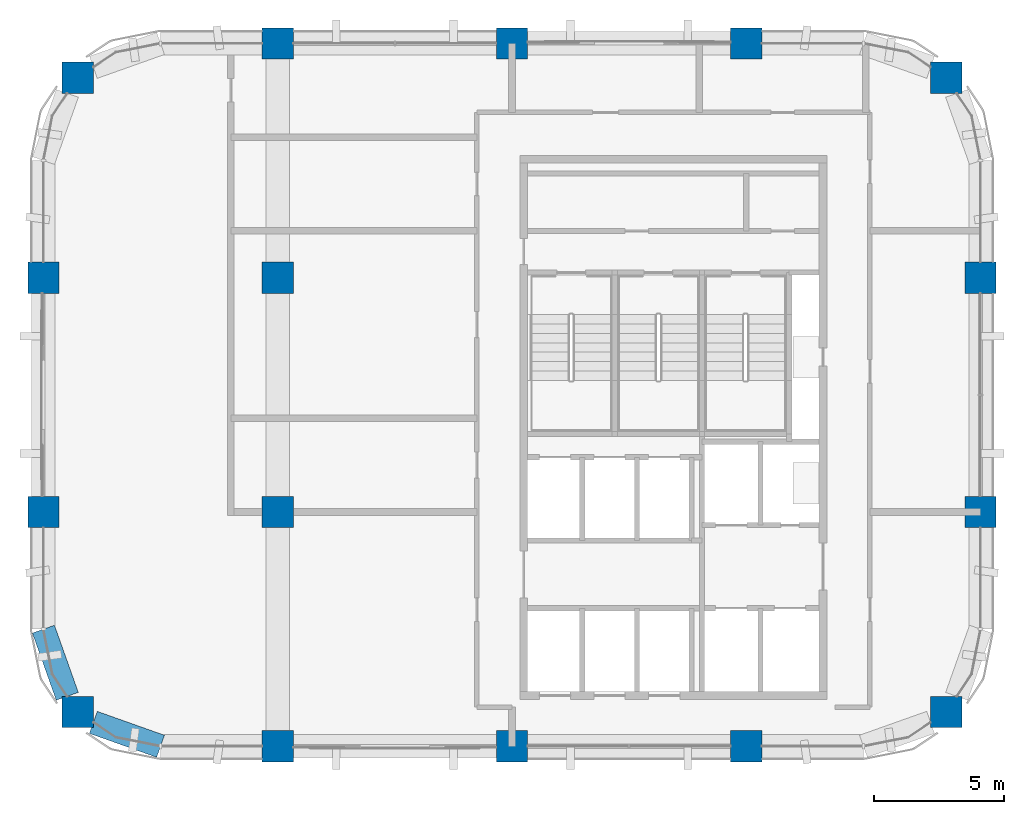
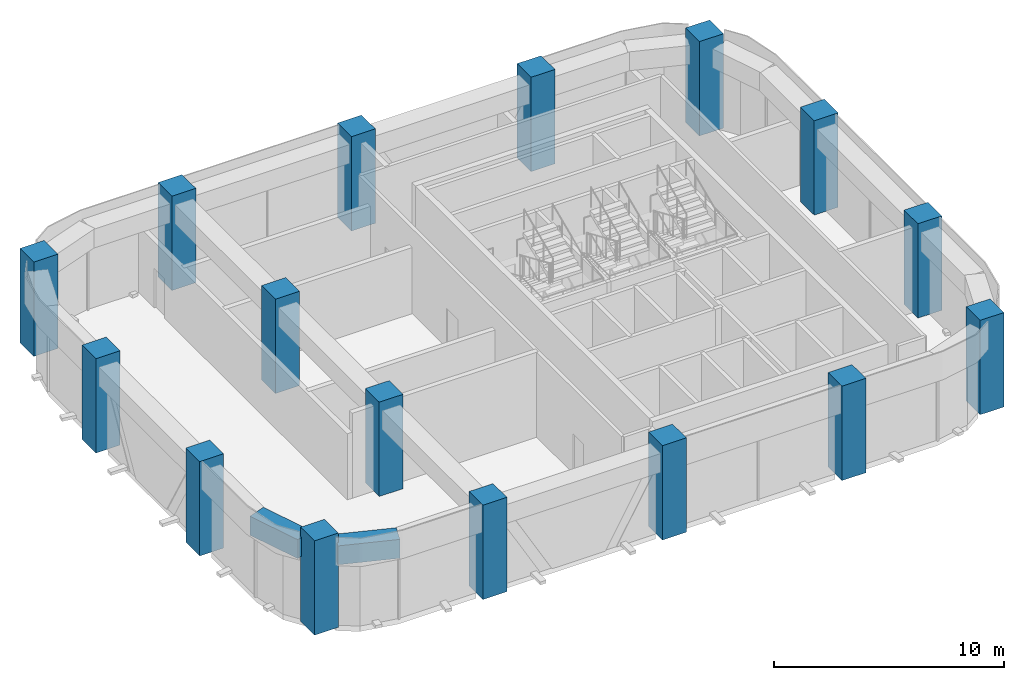
# One storey, part 1 of 11: 16 columns, 2 beams.
"""IFC4 building model written with IfcOpenShell, lengths in metres."""

from ifc_helpers import new_model, si_unit, direction, frame, origin, origin_2d, place, context, subcontext, project, spatial, rectangle, extrude, material, material_profile, profile_set, type_object, element, save


model = new_model("IFC4")

# Units and contexts
model_context = context("Model", 3, precision=1e-05, world=origin(), true_north=direction((0.0, 1.0)))
body_context = subcontext(model_context, "Body", "Model", "MODEL_VIEW")
ifc_project = project(units=[si_unit("LENGTHUNIT", "METRE"), si_unit("AREAUNIT", "SQUARE_METRE"), si_unit("VOLUMEUNIT", "CUBIC_METRE"), si_unit("PLANEANGLEUNIT", "RADIAN"), si_unit("MASSUNIT", "GRAM", prefix="KILO")], contexts=[model_context])

# Site, building, storey
site_placement = place(None, origin())
site = spatial("IfcSite", under=ifc_project, at=site_placement, CompositionType="ELEMENT")
building_placement = place(site_placement, origin())
building = spatial("IfcBuilding", under=site, at=building_placement, Name="Tessera Arch", CompositionType="ELEMENT")
storey_placement = place(building_placement, frame((0.0, 0.0, 290.199951171875)))
storey = spatial("IfcBuildingStorey", under=building, at=storey_placement, Name="L70", CompositionType="ELEMENT", Elevation=290.199951171875)

# Columns
ifc_material_1 = material(Name="Concrete C60/75", Category="concrete")
ifc_material_profile_1 = material_profile(ifc_material_1, rectangle(XDim=1.199951171875, YDim=1.199951171875, at=origin_2d()), Name="RC column 1200 x 1200 Concrete C60/75")
ifc_profile_set_1 = profile_set([ifc_material_profile_1], Name="Concrete C60/75")
column_type = type_object("IfcColumnType", Name="RC column 1200 x 1200 Concrete C60/75", PredefinedType="COLUMN", material=ifc_profile_set_1)
for number, where, z_axis, x_axis, name in (
    (1, (19.318115234375, 28.318115234375, 0.0), (0.0, 0.0, 1.0), (1.0, 0.0, 0.0), "Column C3D L70"),
    (2, (18.0, 36.0, 0.0), (0.0, 0.0, 1.0), (1.0, 0.0, 0.0), "Column C3E L70"),
    (3, (18.0, 45.0, 0.0), (0.0, 0.0, 1.0), (1.0, 0.0, 0.0), "Column C3F L70"),
    (4, (19.318115234375, 52.681884765625, 0.0), (0.0, 0.0, 1.0), (1.0, 0.0, 0.0), "Column C3G L70"),
    (5, (27.0, 27.0, 0.0), (0.0, 0.0, 1.0), (1.0, 0.0, 0.0), "Column C4D L70"),
    (6, (27.0, 36.0, 0.0), (0.0, 0.0, 1.0), (1.0, 0.0, 0.0), "Column C4E L70"),
    (7, (27.0, 45.0, 0.0), (0.0, 0.0, 1.0), (1.0, 0.0, 0.0), "Column C4F L70"),
    (8, (27.0, 54.0, 0.0), (0.0, 0.0, 1.0), (1.0, 0.0, 0.0), "Column C4G L70"),
    (9, (36.0, 27.0, 0.0), (0.0, 0.0, 1.0), (1.0, 0.0, 0.0), "Column C5D L70"),
    (10, (36.0, 54.0, 0.0), (0.0, 0.0, 1.0), (1.0, 0.0, 0.0), "Column C5G L70"),
    (11, (45.0, 27.0, 0.0), (0.0, 0.0, 1.0), (1.0, 0.0, 0.0), "Column C6D L70"),
    (12, (45.0, 54.0, 0.0), (0.0, 0.0, 1.0), (1.0, 0.0, 0.0), "Column C6G L70"),
    (13, (52.681884765625, 28.318115234375, 0.0), (0.0, 0.0, 1.0), (1.0, 0.0, 0.0), "Column C7D L70"),
    (14, (54.0, 36.0, 0.0), (0.0, 0.0, 1.0), (1.0, 0.0, 0.0), "Column C7E L70"),
    (15, (54.0, 45.0, 0.0), (0.0, 0.0, 1.0), (1.0, 0.0, 0.0), "Column C7F L70"),
    (16, (52.681884765625, 52.681884765625, 0.0), (0.0, 0.0, 1.0), (1.0, 0.0, 0.0), "Column C7G L70"),
):
    element("IfcColumn", number, at=place(storey_placement, frame(where, z_axis=z_axis, x_axis=x_axis)), inside=storey, type_object=column_type, Name=name, PredefinedType="COLUMN", context=body_context, shape_type="SweptSolid", body=[
        extrude(rectangle(XDim=1.199951171875, YDim=1.199951171875, at=origin_2d()), origin(), (0.0, 0.0, 1.0), 5.0),
    ])

# Beams
ifc_material_2 = material(Name="Concrete C60/75", Category="concrete")
ifc_material_profile_2 = material_profile(ifc_material_2, rectangle(XDim=0.89990234375, YDim=1.0, at=origin_2d()), Name="RC spandrel beam 900 x 1000 Concrete C60/75")
ifc_profile_set_2 = profile_set([ifc_material_profile_2], Name="Concrete C60/75")
beam_type = type_object("IfcBeamType", Name="RC spandrel beam 900 x 1000 Concrete C60/75", PredefinedType="BEAM", material=ifc_profile_set_2)
for number, where, z_axis, x_axis, name in (
    (17, (18.0, 31.5, 4.0), (0.334665114373, -0.942337127159, 0.0), (0.942337127159, 0.334665114373, 0.0), "Spandrel beam L70 W18.27/2.2"),
    (18, (19.91796875, 27.9169921875, 4.0), (0.942337127159, -0.334665114373, 0.0), (0.334665114373, 0.942337127159, 0.0), "Spandrel beam L70 S27.18/0.1"),
):
    element("IfcBeam", number, at=place(storey_placement, frame(where, z_axis=z_axis, x_axis=x_axis)), inside=storey, type_object=beam_type, Name=name, PredefinedType="BEAM", context=body_context, shape_type="SweptSolid", body=[
        extrude(rectangle(XDim=0.89990234375, YDim=1.0, at=origin_2d()), origin(), (0.0, 0.0, 1.0), 2.739990234375),
    ])

save(model, "model.ifc")
